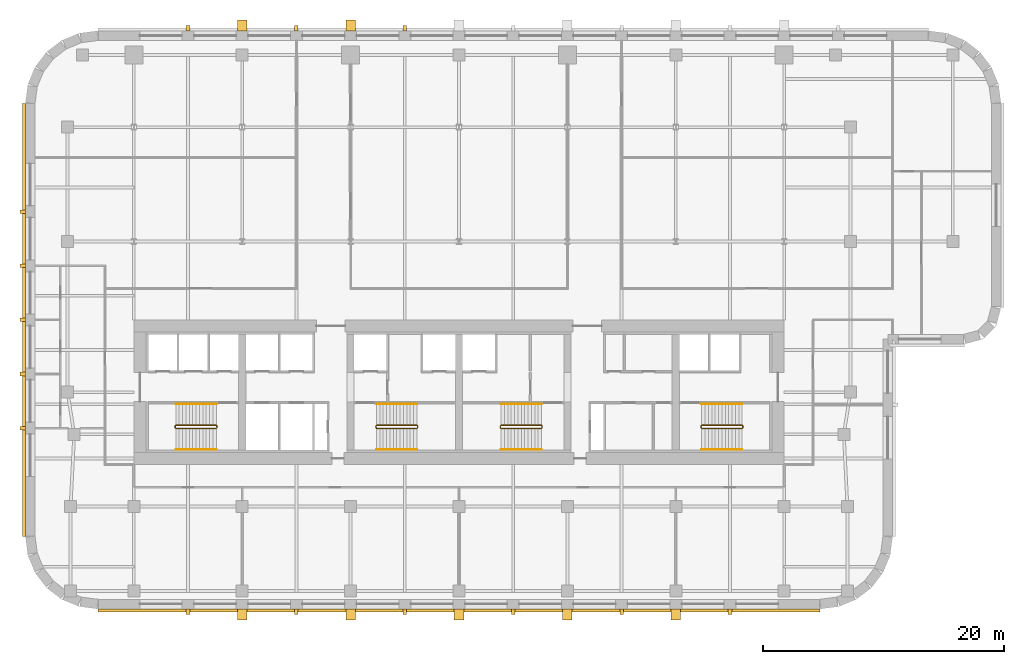
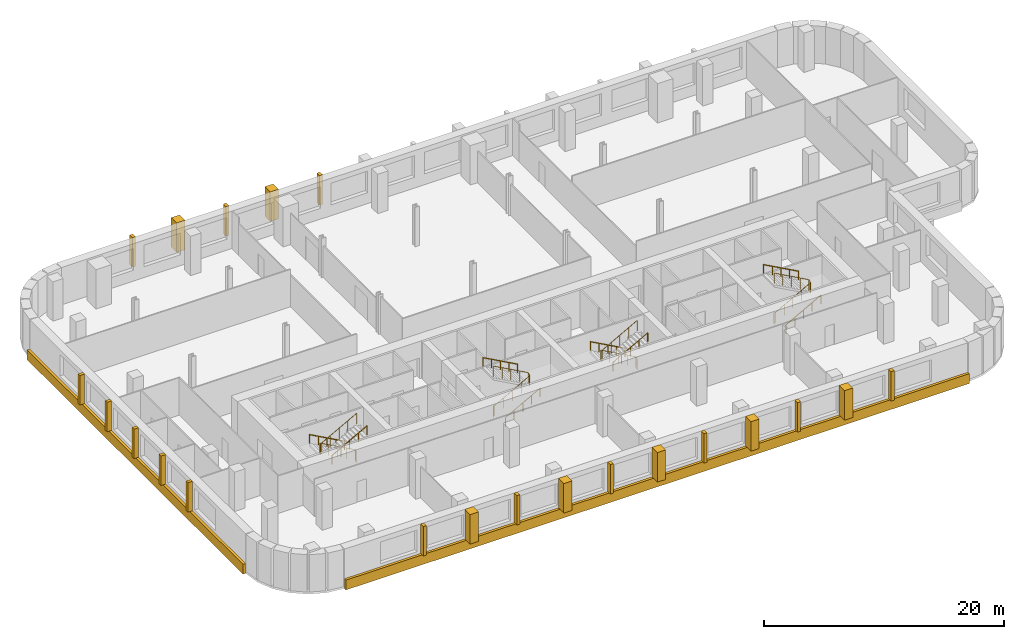
# One storey, part 8 of 9: 23 coverings, 12 railings.
"""IFC4 building model written with IfcOpenShell, lengths in metres."""

from ifc_helpers import new_model, si_unit, direction, frame, origin, origin_2d, place, context, subcontext, project, spatial, polyline, circle, outline, extrude, material, layer, layer_set, type_object, element, save


model = new_model("IFC4")

# Units and contexts
model_context = context("Model", 3, precision=1e-05, world=origin(), true_north=direction((0.0, 1.0)))
body_context = subcontext(model_context, "Body", "Model", "MODEL_VIEW")
ifc_project = project(units=[si_unit("LENGTHUNIT", "METRE"), si_unit("AREAUNIT", "SQUARE_METRE"), si_unit("VOLUMEUNIT", "CUBIC_METRE"), si_unit("PLANEANGLEUNIT", "RADIAN"), si_unit("MASSUNIT", "GRAM", prefix="KILO")], contexts=[model_context])

# Site, building, storey
site_placement = place(None, origin())
site = spatial("IfcSite", under=ifc_project, at=site_placement, CompositionType="ELEMENT")
building_placement = place(site_placement, origin())
building = spatial("IfcBuilding", under=site, at=building_placement, Name="Zellij Exchange Tower", CompositionType="ELEMENT")
storey_placement = place(building_placement, frame((0.0, 0.0, 112.5)))
storey = spatial("IfcBuildingStorey", under=building, at=storey_placement, Name="L24", CompositionType="ELEMENT", Elevation=112.5)

# Railings
ifc_material_1 = material(Name="Stainless steel", Category="steel")
railing_type_1 = type_object("IfcRailingType", Name="CORE-RG stair guard", PredefinedType="GUARDRAIL", material=ifc_material_1)
railing_1_placement = place(storey_placement, frame((-20.10009765625, -10.800048828125, 0.0)))
element("IfcRailing", 1, at=railing_1_placement, inside=storey, type_object=railing_type_1, Name="ST1 stair guard L24", PredefinedType="GUARDRAIL", context=body_context, shape_type="SweptSolid", body=[
    extrude(circle(Radius=0.02392578125, at=origin_2d()), frame((0.0, 0.0, 1.076171875), z_axis=(0.0, -1.0, 0.0), x_axis=(1.0, 0.0, 0.0)), (0.0, 0.0, 1.0), 0.14990234375),
    extrude(circle(Radius=0.02392578125, at=origin_2d()), frame((0.0, -0.14990234375, 1.076171875), z_axis=(-0.193691321961, 0.777613689637, 0.598164376644), x_axis=(-0.970351222016, -0.241699205484, 0.0)), (0.0, 0.0, 1.0), 0.257080078125),
    extrude(circle(Radius=0.02392578125, at=origin_2d()), frame((-0.0498046875, 0.050048828125, 1.22998046875), z_axis=(-0.876421534553, 0.0, 0.481544695509), x_axis=(0.0, -1.0, 0.0)), (0.0, 0.0, 1.0), 3.833984375),
    extrude(circle(Radius=0.02392578125, at=origin_2d()), frame((-3.409912109375, 0.050048828125, 3.076171875), z_axis=(-0.707106781187, -0.707106781187, 0.0), x_axis=(0.707106781187, -0.707106781187, 0.0)), (0.0, 0.0, 1.0), 0.07080078125),
    extrude(circle(Radius=0.02392578125, at=origin_2d()), frame((-3.4599609375, 0.0, 3.076171875), z_axis=(0.0, -1.0, 0.0), x_axis=(1.0, 0.0, 0.0)), (0.0, 0.0, 1.0), 0.14990234375),
    extrude(circle(Radius=0.02392578125, at=origin_2d()), frame((-3.4599609375, -0.14990234375, 3.076171875), z_axis=(0.295599637079, -0.295599637079, 0.908428152975), x_axis=(0.707106781187, 0.707106781187, 0.0)), (0.0, 0.0, 1.0), 0.16943359375),
    extrude(circle(Radius=0.02392578125, at=origin_2d()), frame((-3.409912109375, -0.199951171875, 3.22998046875), z_axis=(0.876421534553, 0.0, 0.481544695509), x_axis=(0.0, 1.0, 0.0)), (0.0, 0.0, 1.0), 3.833984375),
    extrude(circle(Radius=0.02099609375, at=origin_2d()), origin(), (0.0, 0.0, 1.0), 1.052001953125),
    extrude(circle(Radius=0.02099609375, at=origin_2d()), frame((0.0, -0.14990234375, 0.0)), (0.0, 0.0, 1.0), 1.052001953125),
    extrude(circle(Radius=0.02099609375, at=origin_2d()), frame((-0.0498046875, 0.050048828125, 0.15380859375)), (0.0, 0.0, 1.0), 1.052001953125),
    extrude(circle(Radius=0.02099609375, at=origin_2d()), frame((-0.889892578125, 0.050048828125, 0.615234375)), (0.0, 0.0, 1.0), 1.052001953125),
    extrude(circle(Radius=0.02099609375, at=origin_2d()), frame((-1.72998046875, 0.050048828125, 1.076904296875)), (0.0, 0.0, 1.0), 1.052001953125),
    extrude(circle(Radius=0.02099609375, at=origin_2d()), frame((-2.56982421875, 0.050048828125, 1.53857421875)), (0.0, 0.0, 1.0), 1.052001953125),
    extrude(circle(Radius=0.02099609375, at=origin_2d()), frame((-3.409912109375, 0.050048828125, 2.0)), (0.0, 0.0, 1.0), 1.052001953125),
    extrude(circle(Radius=0.02099609375, at=origin_2d()), frame((-3.4599609375, 0.0, 2.0)), (0.0, 0.0, 1.0), 1.052001953125),
    extrude(circle(Radius=0.02099609375, at=origin_2d()), frame((-3.4599609375, -0.14990234375, 2.0)), (0.0, 0.0, 1.0), 1.052001953125),
    extrude(circle(Radius=0.02099609375, at=origin_2d()), frame((-3.409912109375, -0.199951171875, 2.15380859375)), (0.0, 0.0, 1.0), 1.052001953125),
    extrude(circle(Radius=0.02099609375, at=origin_2d()), frame((-2.56982421875, -0.199951171875, 2.615234375)), (0.0, 0.0, 1.0), 1.052001953125),
    extrude(circle(Radius=0.02099609375, at=origin_2d()), frame((-1.72998046875, -0.199951171875, 3.076904296875)), (0.0, 0.0, 1.0), 1.052001953125),
    extrude(circle(Radius=0.02099609375, at=origin_2d()), frame((-0.889892578125, -0.199951171875, 3.53857421875)), (0.0, 0.0, 1.0), 1.052001953125),
    extrude(circle(Radius=0.02099609375, at=origin_2d()), frame((-0.0498046875, -0.199951171875, 4.0)), (0.0, 0.0, 1.0), 1.052001953125),
])
railing_2_placement = place(storey_placement, frame((-6.89990234375, -10.949951171875, 0.0)))
element("IfcRailing", 2, at=railing_2_placement, inside=storey, type_object=railing_type_1, Name="ST2 stair guard L24", PredefinedType="GUARDRAIL", context=body_context, shape_type="SweptSolid", body=[
    extrude(circle(Radius=0.02392578125, at=origin_2d()), frame((0.0, 0.0, 1.076171875), z_axis=(0.0, 1.0, 0.0), x_axis=(-1.0, 0.0, 0.0)), (0.0, 0.0, 1.0), 0.14990234375),
    extrude(circle(Radius=0.02392578125, at=origin_2d()), frame((0.0, 0.14990234375, 1.076171875), z_axis=(0.193691321961, -0.777613689637, 0.598164376644), x_axis=(0.970351222016, 0.241699205484, 0.0)), (0.0, 0.0, 1.0), 0.257080078125),
    extrude(circle(Radius=0.02392578125, at=origin_2d()), frame((0.0498046875, -0.050048828125, 1.22998046875), z_axis=(0.876421534553, 0.0, 0.481544695509), x_axis=(0.0, 1.0, 0.0)), (0.0, 0.0, 1.0), 3.833984375),
    extrude(circle(Radius=0.02392578125, at=origin_2d()), frame((3.409912109375, -0.050048828125, 3.076171875), z_axis=(0.707106781187, 0.707106781187, 0.0), x_axis=(-0.707106781187, 0.707106781187, 0.0)), (0.0, 0.0, 1.0), 0.07080078125),
    extrude(circle(Radius=0.02392578125, at=origin_2d()), frame((3.4599609375, 0.0, 3.076171875), z_axis=(0.0, 1.0, 0.0), x_axis=(-1.0, 0.0, 0.0)), (0.0, 0.0, 1.0), 0.14990234375),
    extrude(circle(Radius=0.02392578125, at=origin_2d()), frame((3.4599609375, 0.14990234375, 3.076171875), z_axis=(-0.295599637079, 0.295599637079, 0.908428152975), x_axis=(-0.707106781187, -0.707106781187, 0.0)), (0.0, 0.0, 1.0), 0.16943359375),
    extrude(circle(Radius=0.02392578125, at=origin_2d()), frame((3.409912109375, 0.199951171875, 3.22998046875), z_axis=(-0.876421534553, 0.0, 0.481544695509), x_axis=(0.0, -1.0, 0.0)), (0.0, 0.0, 1.0), 3.833984375),
    extrude(circle(Radius=0.02099609375, at=origin_2d()), origin(), (0.0, 0.0, 1.0), 1.052001953125),
    extrude(circle(Radius=0.02099609375, at=origin_2d()), frame((0.0, 0.14990234375, 0.0)), (0.0, 0.0, 1.0), 1.052001953125),
    extrude(circle(Radius=0.02099609375, at=origin_2d()), frame((0.0498046875, -0.050048828125, 0.15380859375)), (0.0, 0.0, 1.0), 1.052001953125),
    extrude(circle(Radius=0.02099609375, at=origin_2d()), frame((0.889892578125, -0.050048828125, 0.615234375)), (0.0, 0.0, 1.0), 1.052001953125),
    extrude(circle(Radius=0.02099609375, at=origin_2d()), frame((1.72998046875, -0.050048828125, 1.076904296875)), (0.0, 0.0, 1.0), 1.052001953125),
    extrude(circle(Radius=0.02099609375, at=origin_2d()), frame((2.56982421875, -0.050048828125, 1.53857421875)), (0.0, 0.0, 1.0), 1.052001953125),
    extrude(circle(Radius=0.02099609375, at=origin_2d()), frame((3.409912109375, -0.050048828125, 2.0)), (0.0, 0.0, 1.0), 1.052001953125),
    extrude(circle(Radius=0.02099609375, at=origin_2d()), frame((3.4599609375, 0.0, 2.0)), (0.0, 0.0, 1.0), 1.052001953125),
    extrude(circle(Radius=0.02099609375, at=origin_2d()), frame((3.4599609375, 0.14990234375, 2.0)), (0.0, 0.0, 1.0), 1.052001953125),
    extrude(circle(Radius=0.02099609375, at=origin_2d()), frame((3.409912109375, 0.199951171875, 2.15380859375)), (0.0, 0.0, 1.0), 1.052001953125),
    extrude(circle(Radius=0.02099609375, at=origin_2d()), frame((2.56982421875, 0.199951171875, 2.615234375)), (0.0, 0.0, 1.0), 1.052001953125),
    extrude(circle(Radius=0.02099609375, at=origin_2d()), frame((1.72998046875, 0.199951171875, 3.076904296875)), (0.0, 0.0, 1.0), 1.052001953125),
    extrude(circle(Radius=0.02099609375, at=origin_2d()), frame((0.889892578125, 0.199951171875, 3.53857421875)), (0.0, 0.0, 1.0), 1.052001953125),
    extrude(circle(Radius=0.02099609375, at=origin_2d()), frame((0.0498046875, 0.199951171875, 4.0)), (0.0, 0.0, 1.0), 1.052001953125),
])
railing_3_placement = place(storey_placement, frame((6.89990234375, -10.800048828125, 0.0)))
element("IfcRailing", 3, at=railing_3_placement, inside=storey, type_object=railing_type_1, Name="ST3 stair guard L24", PredefinedType="GUARDRAIL", context=body_context, shape_type="SweptSolid", body=[
    extrude(circle(Radius=0.02392578125, at=origin_2d()), frame((0.0, 0.0, 1.076171875), z_axis=(0.0, -1.0, 0.0), x_axis=(1.0, 0.0, 0.0)), (0.0, 0.0, 1.0), 0.14990234375),
    extrude(circle(Radius=0.02392578125, at=origin_2d()), frame((0.0, -0.14990234375, 1.076171875), z_axis=(-0.193691321961, 0.777613689637, 0.598164376644), x_axis=(-0.970351222016, -0.241699205484, 0.0)), (0.0, 0.0, 1.0), 0.257080078125),
    extrude(circle(Radius=0.02392578125, at=origin_2d()), frame((-0.0498046875, 0.050048828125, 1.22998046875), z_axis=(-0.876421534553, 0.0, 0.481544695509), x_axis=(0.0, -1.0, 0.0)), (0.0, 0.0, 1.0), 3.833984375),
    extrude(circle(Radius=0.02392578125, at=origin_2d()), frame((-3.409912109375, 0.050048828125, 3.076171875), z_axis=(-0.707106781187, -0.707106781187, 0.0), x_axis=(0.707106781187, -0.707106781187, 0.0)), (0.0, 0.0, 1.0), 0.07080078125),
    extrude(circle(Radius=0.02392578125, at=origin_2d()), frame((-3.4599609375, 0.0, 3.076171875), z_axis=(0.0, -1.0, 0.0), x_axis=(1.0, 0.0, 0.0)), (0.0, 0.0, 1.0), 0.14990234375),
    extrude(circle(Radius=0.02392578125, at=origin_2d()), frame((-3.4599609375, -0.14990234375, 3.076171875), z_axis=(0.295599637079, -0.295599637079, 0.908428152975), x_axis=(0.707106781187, 0.707106781187, 0.0)), (0.0, 0.0, 1.0), 0.16943359375),
    extrude(circle(Radius=0.02392578125, at=origin_2d()), frame((-3.409912109375, -0.199951171875, 3.22998046875), z_axis=(0.876421534553, 0.0, 0.481544695509), x_axis=(0.0, 1.0, 0.0)), (0.0, 0.0, 1.0), 3.833984375),
    extrude(circle(Radius=0.02099609375, at=origin_2d()), origin(), (0.0, 0.0, 1.0), 1.052001953125),
    extrude(circle(Radius=0.02099609375, at=origin_2d()), frame((0.0, -0.14990234375, 0.0)), (0.0, 0.0, 1.0), 1.052001953125),
    extrude(circle(Radius=0.02099609375, at=origin_2d()), frame((-0.0498046875, 0.050048828125, 0.15380859375)), (0.0, 0.0, 1.0), 1.052001953125),
    extrude(circle(Radius=0.02099609375, at=origin_2d()), frame((-0.889892578125, 0.050048828125, 0.615234375)), (0.0, 0.0, 1.0), 1.052001953125),
    extrude(circle(Radius=0.02099609375, at=origin_2d()), frame((-1.72998046875, 0.050048828125, 1.076904296875)), (0.0, 0.0, 1.0), 1.052001953125),
    extrude(circle(Radius=0.02099609375, at=origin_2d()), frame((-2.56982421875, 0.050048828125, 1.53857421875)), (0.0, 0.0, 1.0), 1.052001953125),
    extrude(circle(Radius=0.02099609375, at=origin_2d()), frame((-3.409912109375, 0.050048828125, 2.0)), (0.0, 0.0, 1.0), 1.052001953125),
    extrude(circle(Radius=0.02099609375, at=origin_2d()), frame((-3.4599609375, 0.0, 2.0)), (0.0, 0.0, 1.0), 1.052001953125),
    extrude(circle(Radius=0.02099609375, at=origin_2d()), frame((-3.4599609375, -0.14990234375, 2.0)), (0.0, 0.0, 1.0), 1.052001953125),
    extrude(circle(Radius=0.02099609375, at=origin_2d()), frame((-3.409912109375, -0.199951171875, 2.15380859375)), (0.0, 0.0, 1.0), 1.052001953125),
    extrude(circle(Radius=0.02099609375, at=origin_2d()), frame((-2.56982421875, -0.199951171875, 2.615234375)), (0.0, 0.0, 1.0), 1.052001953125),
    extrude(circle(Radius=0.02099609375, at=origin_2d()), frame((-1.72998046875, -0.199951171875, 3.076904296875)), (0.0, 0.0, 1.0), 1.052001953125),
    extrude(circle(Radius=0.02099609375, at=origin_2d()), frame((-0.889892578125, -0.199951171875, 3.53857421875)), (0.0, 0.0, 1.0), 1.052001953125),
    extrude(circle(Radius=0.02099609375, at=origin_2d()), frame((-0.0498046875, -0.199951171875, 4.0)), (0.0, 0.0, 1.0), 1.052001953125),
])
railing_4_placement = place(storey_placement, frame((20.10009765625, -10.949951171875, 0.0)))
element("IfcRailing", 4, at=railing_4_placement, inside=storey, type_object=railing_type_1, Name="ST4 stair guard L24", PredefinedType="GUARDRAIL", context=body_context, shape_type="SweptSolid", body=[
    extrude(circle(Radius=0.02392578125, at=origin_2d()), frame((0.0, 0.0, 1.076171875), z_axis=(0.0, 1.0, 0.0), x_axis=(-1.0, 0.0, 0.0)), (0.0, 0.0, 1.0), 0.14990234375),
    extrude(circle(Radius=0.02392578125, at=origin_2d()), frame((0.0, 0.14990234375, 1.076171875), z_axis=(0.193691321961, -0.777613689637, 0.598164376644), x_axis=(0.970351222016, 0.241699205484, 0.0)), (0.0, 0.0, 1.0), 0.257080078125),
    extrude(circle(Radius=0.02392578125, at=origin_2d()), frame((0.0498046875, -0.050048828125, 1.22998046875), z_axis=(0.876421534553, 0.0, 0.481544695509), x_axis=(0.0, 1.0, 0.0)), (0.0, 0.0, 1.0), 3.833984375),
    extrude(circle(Radius=0.02392578125, at=origin_2d()), frame((3.409912109375, -0.050048828125, 3.076171875), z_axis=(0.707106781187, 0.707106781187, 0.0), x_axis=(-0.707106781187, 0.707106781187, 0.0)), (0.0, 0.0, 1.0), 0.07080078125),
    extrude(circle(Radius=0.02392578125, at=origin_2d()), frame((3.4599609375, 0.0, 3.076171875), z_axis=(0.0, 1.0, 0.0), x_axis=(-1.0, 0.0, 0.0)), (0.0, 0.0, 1.0), 0.14990234375),
    extrude(circle(Radius=0.02392578125, at=origin_2d()), frame((3.4599609375, 0.14990234375, 3.076171875), z_axis=(-0.295599637079, 0.295599637079, 0.908428152975), x_axis=(-0.707106781187, -0.707106781187, 0.0)), (0.0, 0.0, 1.0), 0.16943359375),
    extrude(circle(Radius=0.02392578125, at=origin_2d()), frame((3.409912109375, 0.199951171875, 3.22998046875), z_axis=(-0.876421534553, 0.0, 0.481544695509), x_axis=(0.0, -1.0, 0.0)), (0.0, 0.0, 1.0), 3.833984375),
    extrude(circle(Radius=0.02099609375, at=origin_2d()), origin(), (0.0, 0.0, 1.0), 1.052001953125),
    extrude(circle(Radius=0.02099609375, at=origin_2d()), frame((0.0, 0.14990234375, 0.0)), (0.0, 0.0, 1.0), 1.052001953125),
    extrude(circle(Radius=0.02099609375, at=origin_2d()), frame((0.0498046875, -0.050048828125, 0.15380859375)), (0.0, 0.0, 1.0), 1.052001953125),
    extrude(circle(Radius=0.02099609375, at=origin_2d()), frame((0.889892578125, -0.050048828125, 0.615234375)), (0.0, 0.0, 1.0), 1.052001953125),
    extrude(circle(Radius=0.02099609375, at=origin_2d()), frame((1.72998046875, -0.050048828125, 1.076904296875)), (0.0, 0.0, 1.0), 1.052001953125),
    extrude(circle(Radius=0.02099609375, at=origin_2d()), frame((2.56982421875, -0.050048828125, 1.53857421875)), (0.0, 0.0, 1.0), 1.052001953125),
    extrude(circle(Radius=0.02099609375, at=origin_2d()), frame((3.409912109375, -0.050048828125, 2.0)), (0.0, 0.0, 1.0), 1.052001953125),
    extrude(circle(Radius=0.02099609375, at=origin_2d()), frame((3.4599609375, 0.0, 2.0)), (0.0, 0.0, 1.0), 1.052001953125),
    extrude(circle(Radius=0.02099609375, at=origin_2d()), frame((3.4599609375, 0.14990234375, 2.0)), (0.0, 0.0, 1.0), 1.052001953125),
    extrude(circle(Radius=0.02099609375, at=origin_2d()), frame((3.409912109375, 0.199951171875, 2.15380859375)), (0.0, 0.0, 1.0), 1.052001953125),
    extrude(circle(Radius=0.02099609375, at=origin_2d()), frame((2.56982421875, 0.199951171875, 2.615234375)), (0.0, 0.0, 1.0), 1.052001953125),
    extrude(circle(Radius=0.02099609375, at=origin_2d()), frame((1.72998046875, 0.199951171875, 3.076904296875)), (0.0, 0.0, 1.0), 1.052001953125),
    extrude(circle(Radius=0.02099609375, at=origin_2d()), frame((0.889892578125, 0.199951171875, 3.53857421875)), (0.0, 0.0, 1.0), 1.052001953125),
    extrude(circle(Radius=0.02099609375, at=origin_2d()), frame((0.0498046875, 0.199951171875, 4.0)), (0.0, 0.0, 1.0), 1.052001953125),
])
railing_type_2 = type_object("IfcRailingType", Name="CORE-RH stair handrail", PredefinedType="HANDRAIL", material=ifc_material_1)
railing_5_placement = place(storey_placement, frame((-20.14990234375, -9.0, 0.15380859375)))
element("IfcRailing", 5, at=railing_5_placement, inside=storey, type_object=railing_type_2, Name="ST1 stair handrail L24", PredefinedType="HANDRAIL", context=body_context, shape_type="SweptSolid", body=[
    extrude(circle(Radius=0.02392578125, at=origin_2d()), frame((0.0, 0.0, 0.8759765625), z_axis=(-0.876421534553, 0.0, 0.481544695509), x_axis=(0.0, -1.0, 0.0)), (0.0, 0.0, 1.0), 3.833984375),
    extrude(circle(Radius=0.02099609375, at=origin_2d()), origin(), (0.0, 0.0, 1.0), 0.851806640625),
    extrude(circle(Radius=0.02099609375, at=origin_2d()), frame((-0.840087890625, 0.0, 0.46142578125)), (0.0, 0.0, 1.0), 0.851806640625),
    extrude(circle(Radius=0.02099609375, at=origin_2d()), frame((-1.68017578125, 0.0, 0.923095703125)), (0.0, 0.0, 1.0), 0.851806640625),
    extrude(circle(Radius=0.02099609375, at=origin_2d()), frame((-2.52001953125, 0.0, 1.384765625)), (0.0, 0.0, 1.0), 0.851806640625),
    extrude(circle(Radius=0.02099609375, at=origin_2d()), frame((-3.360107421875, 0.0, 1.84619140625)), (0.0, 0.0, 1.0), 0.851806640625),
])
for number, where, name in (
    (6, (-23.510009765625, -12.75, 2.15380859375), "ST1 stair handrail L24"),
    (7, (-6.85009765625, -12.75, 0.15380859375), "ST2 stair handrail L24"),
):
    element("IfcRailing", number, at=place(storey_placement, frame(where)), inside=storey, type_object=railing_type_2, Name=name, PredefinedType="HANDRAIL", context=body_context, shape_type="SweptSolid", body=[
        extrude(circle(Radius=0.02392578125, at=origin_2d()), frame((0.0, 0.0, 0.8759765625), z_axis=(0.876421534553, 0.0, 0.481544695509), x_axis=(0.0, 1.0, 0.0)), (0.0, 0.0, 1.0), 3.833984375),
        extrude(circle(Radius=0.02099609375, at=origin_2d()), origin(), (0.0, 0.0, 1.0), 0.851806640625),
        extrude(circle(Radius=0.02099609375, at=origin_2d()), frame((0.840087890625, 0.0, 0.46142578125)), (0.0, 0.0, 1.0), 0.851806640625),
        extrude(circle(Radius=0.02099609375, at=origin_2d()), frame((1.68017578125, 0.0, 0.923095703125)), (0.0, 0.0, 1.0), 0.851806640625),
        extrude(circle(Radius=0.02099609375, at=origin_2d()), frame((2.52001953125, 0.0, 1.384765625)), (0.0, 0.0, 1.0), 0.851806640625),
        extrude(circle(Radius=0.02099609375, at=origin_2d()), frame((3.360107421875, 0.0, 1.84619140625)), (0.0, 0.0, 1.0), 0.851806640625),
    ])
for number, where, name in (
    (8, (-3.489990234375, -9.0, 2.15380859375), "ST2 stair handrail L24"),
    (9, (6.85009765625, -9.0, 0.15380859375), "ST3 stair handrail L24"),
):
    element("IfcRailing", number, at=place(storey_placement, frame(where)), inside=storey, type_object=railing_type_2, Name=name, PredefinedType="HANDRAIL", context=body_context, shape_type="SweptSolid", body=[
        extrude(circle(Radius=0.02392578125, at=origin_2d()), frame((0.0, 0.0, 0.8759765625), z_axis=(-0.876421534553, 0.0, 0.481544695509), x_axis=(0.0, -1.0, 0.0)), (0.0, 0.0, 1.0), 3.833984375),
        extrude(circle(Radius=0.02099609375, at=origin_2d()), origin(), (0.0, 0.0, 1.0), 0.851806640625),
        extrude(circle(Radius=0.02099609375, at=origin_2d()), frame((-0.840087890625, 0.0, 0.46142578125)), (0.0, 0.0, 1.0), 0.851806640625),
        extrude(circle(Radius=0.02099609375, at=origin_2d()), frame((-1.68017578125, 0.0, 0.923095703125)), (0.0, 0.0, 1.0), 0.851806640625),
        extrude(circle(Radius=0.02099609375, at=origin_2d()), frame((-2.52001953125, 0.0, 1.384765625)), (0.0, 0.0, 1.0), 0.851806640625),
        extrude(circle(Radius=0.02099609375, at=origin_2d()), frame((-3.360107421875, 0.0, 1.84619140625)), (0.0, 0.0, 1.0), 0.851806640625),
    ])
for number, where, name in (
    (10, (3.489990234375, -12.75, 2.15380859375), "ST3 stair handrail L24"),
    (11, (20.14990234375, -12.75, 0.15380859375), "ST4 stair handrail L24"),
):
    element("IfcRailing", number, at=place(storey_placement, frame(where)), inside=storey, type_object=railing_type_2, Name=name, PredefinedType="HANDRAIL", context=body_context, shape_type="SweptSolid", body=[
        extrude(circle(Radius=0.02392578125, at=origin_2d()), frame((0.0, 0.0, 0.8759765625), z_axis=(0.876421534553, 0.0, 0.481544695509), x_axis=(0.0, 1.0, 0.0)), (0.0, 0.0, 1.0), 3.833984375),
        extrude(circle(Radius=0.02099609375, at=origin_2d()), origin(), (0.0, 0.0, 1.0), 0.851806640625),
        extrude(circle(Radius=0.02099609375, at=origin_2d()), frame((0.840087890625, 0.0, 0.46142578125)), (0.0, 0.0, 1.0), 0.851806640625),
        extrude(circle(Radius=0.02099609375, at=origin_2d()), frame((1.68017578125, 0.0, 0.923095703125)), (0.0, 0.0, 1.0), 0.851806640625),
        extrude(circle(Radius=0.02099609375, at=origin_2d()), frame((2.52001953125, 0.0, 1.384765625)), (0.0, 0.0, 1.0), 0.851806640625),
        extrude(circle(Radius=0.02099609375, at=origin_2d()), frame((3.360107421875, 0.0, 1.84619140625)), (0.0, 0.0, 1.0), 0.851806640625),
    ])
railing_6_placement = place(storey_placement, frame((23.510009765625, -9.0, 2.15380859375)))
element("IfcRailing", 12, at=railing_6_placement, inside=storey, type_object=railing_type_2, Name="ST4 stair handrail L24", PredefinedType="HANDRAIL", context=body_context, shape_type="SweptSolid", body=[
    extrude(circle(Radius=0.02392578125, at=origin_2d()), frame((0.0, 0.0, 0.8759765625), z_axis=(-0.876421534553, 0.0, 0.481544695509), x_axis=(0.0, -1.0, 0.0)), (0.0, 0.0, 1.0), 3.833984375),
    extrude(circle(Radius=0.02099609375, at=origin_2d()), origin(), (0.0, 0.0, 1.0), 0.851806640625),
    extrude(circle(Radius=0.02099609375, at=origin_2d()), frame((-0.840087890625, 0.0, 0.46142578125)), (0.0, 0.0, 1.0), 0.851806640625),
    extrude(circle(Radius=0.02099609375, at=origin_2d()), frame((-1.68017578125, 0.0, 0.923095703125)), (0.0, 0.0, 1.0), 0.851806640625),
    extrude(circle(Radius=0.02099609375, at=origin_2d()), frame((-2.52001953125, 0.0, 1.384765625)), (0.0, 0.0, 1.0), 0.851806640625),
    extrude(circle(Radius=0.02099609375, at=origin_2d()), frame((-3.360107421875, 0.0, 1.84619140625)), (0.0, 0.0, 1.0), 0.851806640625),
])

# Coverings
ifc_material_2 = material(Name="Limestone cladding", Category="masonry")
covering_type_1 = type_object("IfcCoveringType", Name="ENV-CV5 Stone pier 800x900", PredefinedType="CLADDING", material=ifc_material_2)
covering_1_placement = place(storey_placement, frame((0.0, 0.0, 0.800048828125)))
element("IfcCovering", 13, at=covering_1_placement, inside=storey, type_object=covering_type_1, Name="Stone pier", PredefinedType="CLADDING", context=body_context, shape_type="SweptSolid", body=[
    extrude(outline(polyline([(-18.39990234375, -26.0), (-17.60009765625, -26.0), (-17.60009765625, -26.89990234375), (-18.39990234375, -26.89990234375), (-18.39990234375, -26.0)])), origin(), (0.0, 0.0, 1.0), 3.0),
])
covering_2_placement = place(storey_placement, frame((0.0, 0.0, 0.800048828125)))
element("IfcCovering", 14, at=covering_2_placement, inside=storey, type_object=covering_type_1, Name="Stone pier", PredefinedType="CLADDING", context=body_context, shape_type="SweptSolid", body=[
    extrude(outline(polyline([(-9.39990234375, -26.0), (-8.60009765625, -26.0), (-8.60009765625, -26.89990234375), (-9.39990234375, -26.89990234375), (-9.39990234375, -26.0)])), origin(), (0.0, 0.0, 1.0), 3.0),
])
covering_3_placement = place(storey_placement, frame((0.0, 0.0, 0.800048828125)))
element("IfcCovering", 15, at=covering_3_placement, inside=storey, type_object=covering_type_1, Name="Stone pier", PredefinedType="CLADDING", context=body_context, shape_type="SweptSolid", body=[
    extrude(outline(polyline([(-0.39990234375, -26.0), (0.39990234375, -26.0), (0.39990234375, -26.89990234375), (-0.39990234375, -26.89990234375), (-0.39990234375, -26.0)])), origin(), (0.0, 0.0, 1.0), 3.0),
])
covering_4_placement = place(storey_placement, frame((0.0, 0.0, 0.800048828125)))
element("IfcCovering", 16, at=covering_4_placement, inside=storey, type_object=covering_type_1, Name="Stone pier", PredefinedType="CLADDING", context=body_context, shape_type="SweptSolid", body=[
    extrude(outline(polyline([(8.60009765625, -26.0), (9.39990234375, -26.0), (9.39990234375, -26.89990234375), (8.60009765625, -26.89990234375), (8.60009765625, -26.0)])), origin(), (0.0, 0.0, 1.0), 3.0),
])
covering_5_placement = place(storey_placement, frame((0.0, 0.0, 0.800048828125)))
element("IfcCovering", 17, at=covering_5_placement, inside=storey, type_object=covering_type_1, Name="Stone pier", PredefinedType="CLADDING", context=body_context, shape_type="SweptSolid", body=[
    extrude(outline(polyline([(17.60009765625, -26.0), (18.39990234375, -26.0), (18.39990234375, -26.89990234375), (17.60009765625, -26.89990234375), (17.60009765625, -26.0)])), origin(), (0.0, 0.0, 1.0), 3.0),
])
covering_6_placement = place(storey_placement, frame((0.0, 0.0, 0.800048828125)))
element("IfcCovering", 18, at=covering_6_placement, inside=storey, type_object=covering_type_1, Name="Stone pier", PredefinedType="CLADDING", context=body_context, shape_type="SweptSolid", body=[
    extrude(outline(polyline([(-8.60009765625, 22.0), (-9.39990234375, 22.0), (-9.39990234375, 22.89990234375), (-8.60009765625, 22.89990234375), (-8.60009765625, 22.0)])), origin(), (0.0, 0.0, 1.0), 3.0),
])
covering_7_placement = place(storey_placement, frame((0.0, 0.0, 0.800048828125)))
element("IfcCovering", 19, at=covering_7_placement, inside=storey, type_object=covering_type_1, Name="Stone pier", PredefinedType="CLADDING", context=body_context, shape_type="SweptSolid", body=[
    extrude(outline(polyline([(-17.60009765625, 22.0), (-18.39990234375, 22.0), (-18.39990234375, 22.89990234375), (-17.60009765625, 22.89990234375), (-17.60009765625, 22.0)])), origin(), (0.0, 0.0, 1.0), 3.0),
])
covering_type_2 = type_object("IfcCoveringType", Name="ENV-CV7 Stone pier 300x450", PredefinedType="CLADDING", material=ifc_material_2)
covering_8_placement = place(storey_placement, frame((0.0, 0.0, 0.800048828125)))
element("IfcCovering", 20, at=covering_8_placement, inside=storey, type_object=covering_type_2, Name="Stone pier", PredefinedType="CLADDING", context=body_context, shape_type="SweptSolid", body=[
    extrude(outline(polyline([(-22.64990234375, -26.0), (-22.35009765625, -26.0), (-22.35009765625, -26.449951171875), (-22.64990234375, -26.449951171875), (-22.64990234375, -26.0)])), origin(), (0.0, 0.0, 1.0), 3.0),
])
covering_9_placement = place(storey_placement, frame((0.0, 0.0, 0.800048828125)))
element("IfcCovering", 21, at=covering_9_placement, inside=storey, type_object=covering_type_2, Name="Stone pier", PredefinedType="CLADDING", context=body_context, shape_type="SweptSolid", body=[
    extrude(outline(polyline([(-13.64990234375, -26.0), (-13.35009765625, -26.0), (-13.35009765625, -26.449951171875), (-13.64990234375, -26.449951171875), (-13.64990234375, -26.0)])), origin(), (0.0, 0.0, 1.0), 3.0),
])
covering_10_placement = place(storey_placement, frame((0.0, 0.0, 0.800048828125)))
element("IfcCovering", 22, at=covering_10_placement, inside=storey, type_object=covering_type_2, Name="Stone pier", PredefinedType="CLADDING", context=body_context, shape_type="SweptSolid", body=[
    extrude(outline(polyline([(-4.64990234375, -26.0), (-4.35009765625, -26.0), (-4.35009765625, -26.449951171875), (-4.64990234375, -26.449951171875), (-4.64990234375, -26.0)])), origin(), (0.0, 0.0, 1.0), 3.0),
])
covering_11_placement = place(storey_placement, frame((0.0, 0.0, 0.800048828125)))
element("IfcCovering", 23, at=covering_11_placement, inside=storey, type_object=covering_type_2, Name="Stone pier", PredefinedType="CLADDING", context=body_context, shape_type="SweptSolid", body=[
    extrude(outline(polyline([(4.35009765625, -26.0), (4.64990234375, -26.0), (4.64990234375, -26.449951171875), (4.35009765625, -26.449951171875), (4.35009765625, -26.0)])), origin(), (0.0, 0.0, 1.0), 3.0),
])
covering_12_placement = place(storey_placement, frame((0.0, 0.0, 0.800048828125)))
element("IfcCovering", 24, at=covering_12_placement, inside=storey, type_object=covering_type_2, Name="Stone pier", PredefinedType="CLADDING", context=body_context, shape_type="SweptSolid", body=[
    extrude(outline(polyline([(13.35009765625, -26.0), (13.64990234375, -26.0), (13.64990234375, -26.449951171875), (13.35009765625, -26.449951171875), (13.35009765625, -26.0)])), origin(), (0.0, 0.0, 1.0), 3.0),
])
covering_13_placement = place(storey_placement, frame((0.0, 0.0, 0.800048828125)))
element("IfcCovering", 25, at=covering_13_placement, inside=storey, type_object=covering_type_2, Name="Stone pier", PredefinedType="CLADDING", context=body_context, shape_type="SweptSolid", body=[
    extrude(outline(polyline([(22.35009765625, -26.0), (22.64990234375, -26.0), (22.64990234375, -26.449951171875), (22.35009765625, -26.449951171875), (22.35009765625, -26.0)])), origin(), (0.0, 0.0, 1.0), 3.0),
])
covering_14_placement = place(storey_placement, frame((0.0, 0.0, 0.800048828125)))
element("IfcCovering", 26, at=covering_14_placement, inside=storey, type_object=covering_type_2, Name="Stone pier", PredefinedType="CLADDING", context=body_context, shape_type="SweptSolid", body=[
    extrude(outline(polyline([(-4.35009765625, 22.0), (-4.64990234375, 22.0), (-4.64990234375, 22.449951171875), (-4.35009765625, 22.449951171875), (-4.35009765625, 22.0)])), origin(), (0.0, 0.0, 1.0), 3.0),
])
covering_15_placement = place(storey_placement, frame((0.0, 0.0, 0.800048828125)))
element("IfcCovering", 27, at=covering_15_placement, inside=storey, type_object=covering_type_2, Name="Stone pier", PredefinedType="CLADDING", context=body_context, shape_type="SweptSolid", body=[
    extrude(outline(polyline([(-13.35009765625, 22.0), (-13.64990234375, 22.0), (-13.64990234375, 22.449951171875), (-13.35009765625, 22.449951171875), (-13.35009765625, 22.0)])), origin(), (0.0, 0.0, 1.0), 3.0),
])
covering_16_placement = place(storey_placement, frame((0.0, 0.0, 0.800048828125)))
element("IfcCovering", 28, at=covering_16_placement, inside=storey, type_object=covering_type_2, Name="Stone pier", PredefinedType="CLADDING", context=body_context, shape_type="SweptSolid", body=[
    extrude(outline(polyline([(-22.35009765625, 22.0), (-22.64990234375, 22.0), (-22.64990234375, 22.449951171875), (-22.35009765625, 22.449951171875), (-22.35009765625, 22.0)])), origin(), (0.0, 0.0, 1.0), 3.0),
])
covering_17_placement = place(storey_placement, frame((0.0, 0.0, 0.800048828125)))
element("IfcCovering", 29, at=covering_17_placement, inside=storey, type_object=covering_type_2, Name="Stone pier", PredefinedType="CLADDING", context=body_context, shape_type="SweptSolid", body=[
    extrude(outline(polyline([(-36.0, 7.136962890625), (-36.0, 6.8369140625), (-36.449951171875, 6.8369140625), (-36.449951171875, 7.136962890625), (-36.0, 7.136962890625)])), origin(), (0.0, 0.0, 1.0), 3.0),
])
covering_18_placement = place(storey_placement, frame((0.0, 0.0, 0.800048828125)))
element("IfcCovering", 30, at=covering_18_placement, inside=storey, type_object=covering_type_2, Name="Stone pier", PredefinedType="CLADDING", context=body_context, shape_type="SweptSolid", body=[
    extrude(outline(polyline([(-36.0, 2.6435546875), (-36.0, 2.343505859375), (-36.449951171875, 2.343505859375), (-36.449951171875, 2.6435546875), (-36.0, 2.6435546875)])), origin(), (0.0, 0.0, 1.0), 3.0),
])
covering_19_placement = place(storey_placement, frame((0.0, 0.0, 0.800048828125)))
element("IfcCovering", 31, at=covering_19_placement, inside=storey, type_object=covering_type_2, Name="Stone pier", PredefinedType="CLADDING", context=body_context, shape_type="SweptSolid", body=[
    extrude(outline(polyline([(-36.0, -1.85009765625), (-36.0, -2.14990234375), (-36.449951171875, -2.14990234375), (-36.449951171875, -1.85009765625), (-36.0, -1.85009765625)])), origin(), (0.0, 0.0, 1.0), 3.0),
])
covering_20_placement = place(storey_placement, frame((0.0, 0.0, 0.800048828125)))
element("IfcCovering", 32, at=covering_20_placement, inside=storey, type_object=covering_type_2, Name="Stone pier", PredefinedType="CLADDING", context=body_context, shape_type="SweptSolid", body=[
    extrude(outline(polyline([(-36.0, -6.343505859375), (-36.0, -6.643310546875), (-36.449951171875, -6.643310546875), (-36.449951171875, -6.343505859375), (-36.0, -6.343505859375)])), origin(), (0.0, 0.0, 1.0), 3.0),
])
covering_21_placement = place(storey_placement, frame((0.0, 0.0, 0.800048828125)))
element("IfcCovering", 33, at=covering_21_placement, inside=storey, type_object=covering_type_2, Name="Stone pier", PredefinedType="CLADDING", context=body_context, shape_type="SweptSolid", body=[
    extrude(outline(polyline([(-36.0, -10.8369140625), (-36.0, -11.136962890625), (-36.449951171875, -11.136962890625), (-36.449951171875, -10.8369140625), (-36.0, -10.8369140625)])), origin(), (0.0, 0.0, 1.0), 3.0),
])
ifc_layer = layer(ifc_material_2, 0.25)
ifc_layer_set = layer_set([ifc_layer], Name="Limestone cladding")
covering_type_3 = type_object("IfcCoveringType", Name="ENV-CV8 Stone spandrel band 250", PredefinedType="CLADDING", material=ifc_layer_set)
covering_22_placement = place(storey_placement, frame((0.0, 0.0, -0.199951171875)))
element("IfcCovering", 34, at=covering_22_placement, inside=storey, type_object=covering_type_3, Name="Stone spandrel band", PredefinedType="CLADDING", context=body_context, shape_type="SweptSolid", body=[
    extrude(outline(polyline([(-29.973876953125, -26.0), (29.973876953125, -26.0), (29.990234375, -26.25), (-29.990234375, -26.25), (-29.973876953125, -26.0)])), origin(), (0.0, 0.0, 1.0), 1.0),
])
covering_23_placement = place(storey_placement, frame((0.0, 0.0, -0.199951171875)))
element("IfcCovering", 35, at=covering_23_placement, inside=storey, type_object=covering_type_3, Name="Stone spandrel band", PredefinedType="CLADDING", context=body_context, shape_type="SweptSolid", body=[
    extrude(outline(polyline([(-36.0, 15.973876953125), (-36.0, -19.973876953125), (-36.25, -19.990234375), (-36.25, 15.990234375), (-36.0, 15.973876953125)])), origin(), (0.0, 0.0, 1.0), 1.0),
])

save(model, "model.ifc")
